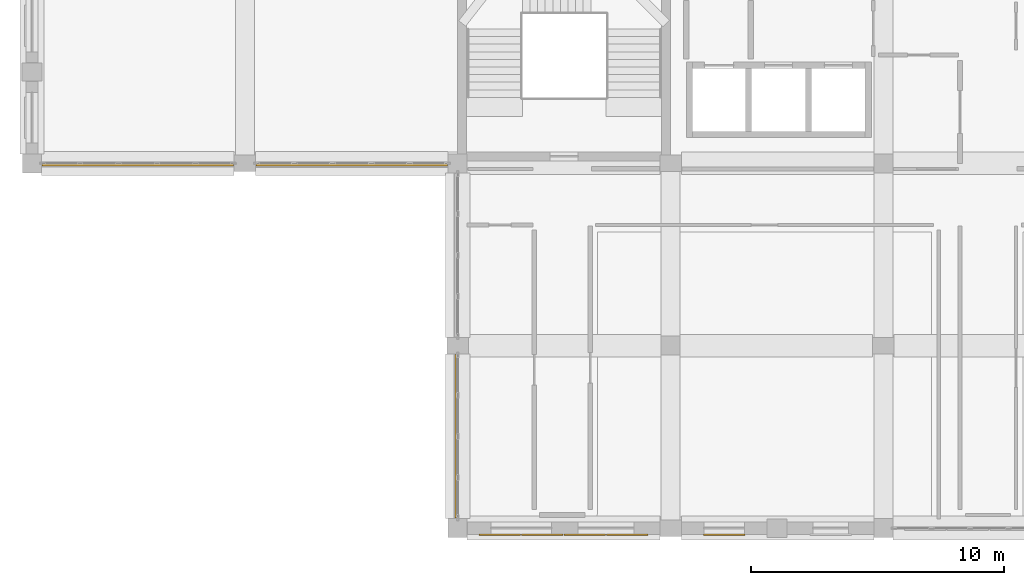
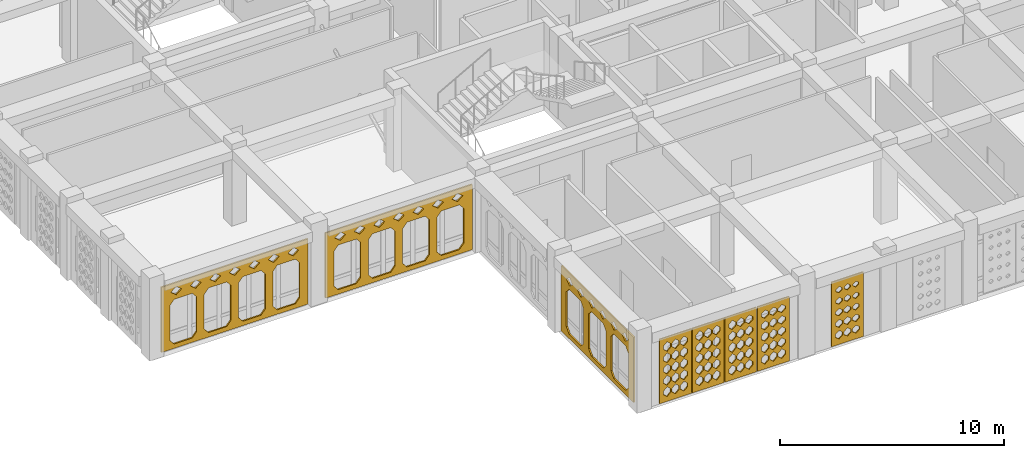
# One storey, part 68 of 100: 8 coverings.
"""IFC4 building model written with IfcOpenShell, lengths in metres."""

from ifc_helpers import new_model, si_unit, derived_unit, direction, frame, origin, place, context, subcontext, project, spatial, polyline, outline, extrude, material, layer, layer_set, type_object, element, save


model = new_model("IFC4")

# Units and contexts
model_context = context("Model", 3, precision=1e-05, world=origin(), true_north=direction((0.0, 1.0)))
body_context = subcontext(model_context, "Body", "Model", "MODEL_VIEW")
ifc_project = project(units=[si_unit("LENGTHUNIT", "METRE"), si_unit("AREAUNIT", "SQUARE_METRE"), si_unit("VOLUMEUNIT", "CUBIC_METRE"), si_unit("PLANEANGLEUNIT", "RADIAN"), si_unit("MASSUNIT", "GRAM", prefix="KILO"), derived_unit("THERMALTRANSMITTANCEUNIT", [(si_unit("POWERUNIT", "WATT"), 1), (si_unit("LENGTHUNIT", "METRE"), -2), (si_unit("THERMODYNAMICTEMPERATUREUNIT", "KELVIN"), -1)])], contexts=[model_context])

# Site, building, storey
site_placement = place(None, origin())
site = spatial("IfcSite", under=ifc_project, at=site_placement, CompositionType="ELEMENT")
building_placement = place(site_placement, origin())
building = spatial("IfcBuilding", under=site, at=building_placement, Name="Veybourne Emporium", CompositionType="ELEMENT")
storey_placement = place(building_placement, frame((0.0, 0.0, 14.39990234375)))
storey = spatial("IfcBuildingStorey", under=building, at=storey_placement, Name="L03", CompositionType="ELEMENT", Elevation=14.39990234375)

# Coverings
ifc_material_1 = material(Name="Patinated Dark Bronze Fretwork", Category="bronze")
ifc_layer_1 = layer(ifc_material_1, 0.074951171875)
ifc_layer_set_1 = layer_set([ifc_layer_1], Name="Patinated Dark Bronze Fretwork")
covering_type_1 = type_object("IfcCoveringType", Name="Fretwork_FRT-02", PredefinedType="CLADDING", material=ifc_layer_set_1)
covering_1_placement = place(storey_placement, frame((4.175048828125, 14.291015625, 1.815185546875), z_axis=(0.0, 1.0, 0.0), x_axis=(-1.0, 0.0, 0.0)))
element("IfcCovering", 1, at=covering_1_placement, inside=storey, type_object=covering_type_1, Name="Corner entrance dark bronze lace fretwork portal L03-001", PredefinedType="CLADDING", context=body_context, shape_type="SweptSolid", body=[
    extrude(outline(polyline([(-3.780029296875, -1.77490234375), (3.780029296875, -1.77490234375), (3.780029296875, 1.77490234375), (-3.780029296875, 1.77490234375), (-3.780029296875, -1.77490234375)]), holes=[polyline([(-3.12451171875, 0.89501953125), (-2.185546875, 0.89501953125), (-1.964599609375, 0.627685546875), (-1.964599609375, -1.267578125), (-2.185546875, -1.534912109375), (-3.12451171875, -1.534912109375), (-3.34521484375, -1.267578125), (-3.34521484375, 0.627685546875), (-3.12451171875, 0.89501953125)]), polyline([(-1.3544921875, 0.89501953125), (-0.41552734375, 0.89501953125), (-0.194580078125, 0.627685546875), (-0.194580078125, -1.267578125), (-0.41552734375, -1.534912109375), (-1.3544921875, -1.534912109375), (-1.5751953125, -1.267578125), (-1.5751953125, 0.627685546875), (-1.3544921875, 0.89501953125)]), polyline([(0.41552734375, 0.89501953125), (1.3544921875, 0.89501953125), (1.5751953125, 0.627685546875), (1.5751953125, -1.267578125), (1.3544921875, -1.534912109375), (0.41552734375, -1.534912109375), (0.194580078125, -1.267578125), (0.194580078125, 0.627685546875), (0.41552734375, 0.89501953125)]), polyline([(2.185546875, 0.89501953125), (3.12451171875, 0.89501953125), (3.34521484375, 0.627685546875), (3.34521484375, -1.267578125), (3.12451171875, -1.534912109375), (2.185546875, -1.534912109375), (1.964599609375, -1.267578125), (1.964599609375, 0.627685546875), (2.185546875, 0.89501953125)]), polyline([(-3.01708984375, 1.56298828125), (-2.737060546875, 1.3349609375), (-3.01708984375, 1.10693359375), (-3.297119140625, 1.3349609375), (-3.01708984375, 1.56298828125)]), polyline([(-2.011474609375, 1.56298828125), (-1.7314453125, 1.3349609375), (-2.011474609375, 1.10693359375), (-2.29150390625, 1.3349609375), (-2.011474609375, 1.56298828125)]), polyline([(-1.005615234375, 1.56298828125), (-0.7255859375, 1.3349609375), (-1.005615234375, 1.10693359375), (-1.28564453125, 1.3349609375), (-1.005615234375, 1.56298828125)]), polyline([(0.0, 1.56298828125), (0.280029296875, 1.3349609375), (0.0, 1.10693359375), (-0.280029296875, 1.3349609375), (0.0, 1.56298828125)]), polyline([(1.005615234375, 1.56298828125), (1.28564453125, 1.3349609375), (1.005615234375, 1.10693359375), (0.7255859375, 1.3349609375), (1.005615234375, 1.56298828125)]), polyline([(2.011474609375, 1.56298828125), (2.29150390625, 1.3349609375), (2.011474609375, 1.10693359375), (1.7314453125, 1.3349609375), (2.011474609375, 1.56298828125)]), polyline([(3.01708984375, 1.56298828125), (3.297119140625, 1.3349609375), (3.01708984375, 1.10693359375), (2.737060546875, 1.3349609375), (3.01708984375, 1.56298828125)])]), origin(), (0.0, 0.0, 1.0), 0.074951171875),
])
covering_2_placement = place(storey_placement, frame((12.625, 14.2880859375, 1.815185546875), z_axis=(0.0, 1.0, 0.0), x_axis=(-1.0, 0.0, 0.0)))
element("IfcCovering", 2, at=covering_2_placement, inside=storey, type_object=covering_type_1, Name="Corner entrance dark bronze lace fretwork portal L03-008", PredefinedType="CLADDING", context=body_context, shape_type="SweptSolid", body=[
    extrude(outline(polyline([(-3.780029296875, -1.77490234375), (3.780029296875, -1.77490234375), (3.780029296875, 1.77490234375), (-3.780029296875, 1.77490234375), (-3.780029296875, -1.77490234375)]), holes=[polyline([(-3.12451171875, 0.89501953125), (-2.185546875, 0.89501953125), (-1.964599609375, 0.627685546875), (-1.964599609375, -1.267578125), (-2.185546875, -1.534912109375), (-3.12451171875, -1.534912109375), (-3.34521484375, -1.267578125), (-3.34521484375, 0.627685546875), (-3.12451171875, 0.89501953125)]), polyline([(-1.3544921875, 0.89501953125), (-0.41552734375, 0.89501953125), (-0.194580078125, 0.627685546875), (-0.194580078125, -1.267578125), (-0.41552734375, -1.534912109375), (-1.3544921875, -1.534912109375), (-1.5751953125, -1.267578125), (-1.5751953125, 0.627685546875), (-1.3544921875, 0.89501953125)]), polyline([(0.41552734375, 0.89501953125), (1.3544921875, 0.89501953125), (1.5751953125, 0.627685546875), (1.5751953125, -1.267578125), (1.3544921875, -1.534912109375), (0.41552734375, -1.534912109375), (0.194580078125, -1.267578125), (0.194580078125, 0.627685546875), (0.41552734375, 0.89501953125)]), polyline([(2.185546875, 0.89501953125), (3.12451171875, 0.89501953125), (3.34521484375, 0.627685546875), (3.34521484375, -1.267578125), (3.12451171875, -1.534912109375), (2.185546875, -1.534912109375), (1.964599609375, -1.267578125), (1.964599609375, 0.627685546875), (2.185546875, 0.89501953125)]), polyline([(-3.01708984375, 1.56298828125), (-2.737060546875, 1.3349609375), (-3.01708984375, 1.10693359375), (-3.297119140625, 1.3349609375), (-3.01708984375, 1.56298828125)]), polyline([(-2.011474609375, 1.56298828125), (-1.7314453125, 1.3349609375), (-2.011474609375, 1.10693359375), (-2.29150390625, 1.3349609375), (-2.011474609375, 1.56298828125)]), polyline([(-1.005615234375, 1.56298828125), (-0.7255859375, 1.3349609375), (-1.005615234375, 1.10693359375), (-1.28564453125, 1.3349609375), (-1.005615234375, 1.56298828125)]), polyline([(0.0, 1.56298828125), (0.280029296875, 1.3349609375), (0.0, 1.10693359375), (-0.280029296875, 1.3349609375), (0.0, 1.56298828125)]), polyline([(1.005615234375, 1.56298828125), (1.28564453125, 1.3349609375), (1.005615234375, 1.10693359375), (0.7255859375, 1.3349609375), (1.005615234375, 1.56298828125)]), polyline([(2.011474609375, 1.56298828125), (2.29150390625, 1.3349609375), (2.011474609375, 1.10693359375), (1.7314453125, 1.3349609375), (2.011474609375, 1.56298828125)]), polyline([(3.01708984375, 1.56298828125), (3.297119140625, 1.3349609375), (3.01708984375, 1.10693359375), (2.737060546875, 1.3349609375), (3.01708984375, 1.56298828125)])]), origin(), (0.0, 0.0, 1.0), 0.074951171875),
])
covering_3_placement = place(storey_placement, frame((16.689453125, 3.625, 1.815185546875), z_axis=(1.0, 0.0, 0.0), x_axis=(0.0, 1.0, 0.0)))
element("IfcCovering", 3, at=covering_3_placement, inside=storey, type_object=covering_type_1, Name="Corner entrance dark bronze lace fretwork portal L03-015", PredefinedType="CLADDING", context=body_context, shape_type="SweptSolid", body=[
    extrude(outline(polyline([(-3.22998046875, -1.77490234375), (3.22998046875, -1.77490234375), (3.22998046875, 1.77490234375), (-3.22998046875, 1.77490234375), (-3.22998046875, -1.77490234375)]), holes=[polyline([(-2.52197265625, 0.89501953125), (-1.464599609375, 0.89501953125), (-1.2158203125, 0.627685546875), (-1.2158203125, -1.267578125), (-1.464599609375, -1.534912109375), (-2.52197265625, -1.534912109375), (-2.770751953125, -1.267578125), (-2.770751953125, 0.627685546875), (-2.52197265625, 0.89501953125)]), polyline([(-0.528564453125, 0.89501953125), (0.528564453125, 0.89501953125), (0.77734375, 0.627685546875), (0.77734375, -1.267578125), (0.528564453125, -1.534912109375), (-0.528564453125, -1.534912109375), (-0.77734375, -1.267578125), (-0.77734375, 0.627685546875), (-0.528564453125, 0.89501953125)]), polyline([(1.464599609375, 0.89501953125), (2.52197265625, 0.89501953125), (2.770751953125, 0.627685546875), (2.770751953125, -1.267578125), (2.52197265625, -1.534912109375), (1.464599609375, -1.534912109375), (1.2158203125, -1.267578125), (1.2158203125, 0.627685546875), (1.464599609375, 0.89501953125)]), polyline([(-2.47509765625, 1.56298828125), (-2.195068359375, 1.3349609375), (-2.47509765625, 1.10693359375), (-2.7548828125, 1.3349609375), (-2.47509765625, 1.56298828125)]), polyline([(-1.485107421875, 1.56298828125), (-1.205078125, 1.3349609375), (-1.485107421875, 1.10693359375), (-1.764892578125, 1.3349609375), (-1.485107421875, 1.56298828125)]), polyline([(-0.4951171875, 1.56298828125), (-0.215087890625, 1.3349609375), (-0.4951171875, 1.10693359375), (-0.77490234375, 1.3349609375), (-0.4951171875, 1.56298828125)]), polyline([(0.4951171875, 1.56298828125), (0.77490234375, 1.3349609375), (0.4951171875, 1.10693359375), (0.215087890625, 1.3349609375), (0.4951171875, 1.56298828125)]), polyline([(1.485107421875, 1.56298828125), (1.764892578125, 1.3349609375), (1.485107421875, 1.10693359375), (1.205078125, 1.3349609375), (1.485107421875, 1.56298828125)]), polyline([(2.47509765625, 1.56298828125), (2.7548828125, 1.3349609375), (2.47509765625, 1.10693359375), (2.195068359375, 1.3349609375), (2.47509765625, 1.56298828125)])]), origin(), (0.0, 0.0, 1.0), 0.074951171875),
])
ifc_material_2 = material(Name="Warm-White Perforated Aluminium Screen Alloy", Category="aluminium")
ifc_layer_2 = layer(ifc_material_2, 0.06005859375)
ifc_layer_set_2 = layer_set([ifc_layer_2], Name="Warm-White Perforated Aluminium Screen Alloy")
covering_type_2 = type_object("IfcCoveringType", Name="WaveScreen_SCR-01", PredefinedType="CLADDING", material=ifc_layer_set_2)
covering_4_placement = place(storey_placement, frame((20.135009765625, -0.298095703125, 1.815185546875), z_axis=(0.0, 1.0, 0.0), x_axis=(-1.0, 0.0, 0.0)))
element("IfcCovering", 4, at=covering_4_placement, inside=storey, type_object=covering_type_2, Name="L03 wave-perforated aluminium screen SCR-01 (14.3)", PredefinedType="CLADDING", context=body_context, shape_type="SweptSolid", body=[
    extrude(outline(polyline([(-0.81982421875, -1.7548828125), (0.81982421875, -1.7548828125), (0.81982421875, 1.7548828125), (-0.81982421875, 1.7548828125), (-0.81982421875, -1.7548828125)]), holes=[polyline([(-0.433349609375, -0.964111328125), (-0.2470703125, -1.133056640625), (-0.2470703125, -1.322998046875), (-0.433349609375, -1.491943359375), (-0.61962890625, -1.322998046875), (-0.61962890625, -1.133056640625), (-0.433349609375, -0.964111328125)]), polyline([(-0.433349609375, -0.35009765625), (-0.2470703125, -0.51904296875), (-0.2470703125, -0.708984375), (-0.433349609375, -0.8779296875), (-0.61962890625, -0.708984375), (-0.61962890625, -0.51904296875), (-0.433349609375, -0.35009765625)]), polyline([(-0.433349609375, 0.263916015625), (-0.2470703125, 0.094970703125), (-0.2470703125, -0.094970703125), (-0.433349609375, -0.263916015625), (-0.61962890625, -0.094970703125), (-0.61962890625, 0.094970703125), (-0.433349609375, 0.263916015625)]), polyline([(-0.433349609375, 0.8779296875), (-0.2470703125, 0.708984375), (-0.2470703125, 0.51904296875), (-0.433349609375, 0.35009765625), (-0.61962890625, 0.51904296875), (-0.61962890625, 0.708984375), (-0.433349609375, 0.8779296875)]), polyline([(-0.433349609375, 1.484375), (-0.2470703125, 1.3203125), (-0.2470703125, 1.1357421875), (-0.433349609375, 0.9716796875), (-0.61962890625, 1.1357421875), (-0.61962890625, 1.3203125), (-0.433349609375, 1.484375)]), polyline([(0.0, -0.964111328125), (0.186279296875, -1.133056640625), (0.186279296875, -1.322998046875), (0.0, -1.491943359375), (-0.186279296875, -1.322998046875), (-0.186279296875, -1.133056640625), (0.0, -0.964111328125)]), polyline([(0.0, -0.35009765625), (0.186279296875, -0.51904296875), (0.186279296875, -0.708984375), (0.0, -0.8779296875), (-0.186279296875, -0.708984375), (-0.186279296875, -0.51904296875), (0.0, -0.35009765625)]), polyline([(0.0, 0.263916015625), (0.186279296875, 0.094970703125), (0.186279296875, -0.094970703125), (0.0, -0.263916015625), (-0.186279296875, -0.094970703125), (-0.186279296875, 0.094970703125), (0.0, 0.263916015625)]), polyline([(0.0, 0.8779296875), (0.186279296875, 0.708984375), (0.186279296875, 0.51904296875), (0.0, 0.35009765625), (-0.186279296875, 0.51904296875), (-0.186279296875, 0.708984375), (0.0, 0.8779296875)]), polyline([(0.0, 1.48828125), (0.186279296875, 1.32177734375), (0.186279296875, 1.13427734375), (0.0, 0.9677734375), (-0.186279296875, 1.13427734375), (-0.186279296875, 1.32177734375), (0.0, 1.48828125)]), polyline([(0.433349609375, -0.964111328125), (0.61962890625, -1.133056640625), (0.61962890625, -1.322998046875), (0.433349609375, -1.491943359375), (0.2470703125, -1.322998046875), (0.2470703125, -1.133056640625), (0.433349609375, -0.964111328125)]), polyline([(0.433349609375, -0.35009765625), (0.61962890625, -0.51904296875), (0.61962890625, -0.708984375), (0.433349609375, -0.8779296875), (0.2470703125, -0.708984375), (0.2470703125, -0.51904296875), (0.433349609375, -0.35009765625)]), polyline([(0.433349609375, 0.263916015625), (0.61962890625, 0.094970703125), (0.61962890625, -0.094970703125), (0.433349609375, -0.263916015625), (0.2470703125, -0.094970703125), (0.2470703125, 0.094970703125), (0.433349609375, 0.263916015625)]), polyline([(0.433349609375, 0.8779296875), (0.61962890625, 0.708984375), (0.61962890625, 0.51904296875), (0.433349609375, 0.35009765625), (0.2470703125, 0.51904296875), (0.2470703125, 0.708984375), (0.433349609375, 0.8779296875)]), polyline([(0.433349609375, 1.49169921875), (0.61962890625, 1.322998046875), (0.61962890625, 1.133056640625), (0.433349609375, 0.964111328125), (0.2470703125, 1.133056640625), (0.2470703125, 1.322998046875), (0.433349609375, 1.49169921875)])]), origin(), (0.0, 0.0, 1.0), 0.06005859375),
])
ifc_layer_3 = layer(ifc_material_2, 0.06005859375)
ifc_layer_set_3 = layer_set([ifc_layer_3], Name="Warm-White Perforated Aluminium Screen Alloy")
covering_type_3 = type_object("IfcCoveringType", Name="WaveScreen_SCR-02", PredefinedType="CLADDING", material=ifc_layer_set_3)
covering_5_placement = place(storey_placement, frame((18.455078125, -0.298095703125, 1.815185546875), z_axis=(0.0, 1.0, 0.0), x_axis=(-1.0, 0.0, 0.0)))
element("IfcCovering", 5, at=covering_5_placement, inside=storey, type_object=covering_type_3, Name="L03 wave-perforated aluminium screen SCR-02 (14.4)", PredefinedType="CLADDING", context=body_context, shape_type="SweptSolid", body=[
    extrude(outline(polyline([(-0.81982421875, -1.7548828125), (0.81982421875, -1.7548828125), (0.81982421875, 1.7548828125), (-0.81982421875, 1.7548828125), (-0.81982421875, -1.7548828125)]), holes=[polyline([(-0.433349609375, -0.964111328125), (-0.2470703125, -1.133056640625), (-0.2470703125, -1.322998046875), (-0.433349609375, -1.491943359375), (-0.61962890625, -1.322998046875), (-0.61962890625, -1.133056640625), (-0.433349609375, -0.964111328125)]), polyline([(-0.433349609375, -0.35009765625), (-0.2470703125, -0.51904296875), (-0.2470703125, -0.708984375), (-0.433349609375, -0.8779296875), (-0.61962890625, -0.708984375), (-0.61962890625, -0.51904296875), (-0.433349609375, -0.35009765625)]), polyline([(-0.433349609375, 0.263916015625), (-0.2470703125, 0.094970703125), (-0.2470703125, -0.094970703125), (-0.433349609375, -0.263916015625), (-0.61962890625, -0.094970703125), (-0.61962890625, 0.094970703125), (-0.433349609375, 0.263916015625)]), polyline([(-0.433349609375, 0.8779296875), (-0.2470703125, 0.708984375), (-0.2470703125, 0.51904296875), (-0.433349609375, 0.35009765625), (-0.61962890625, 0.51904296875), (-0.61962890625, 0.708984375), (-0.433349609375, 0.8779296875)]), polyline([(-0.433349609375, 1.491943359375), (-0.2470703125, 1.322998046875), (-0.2470703125, 1.133056640625), (-0.433349609375, 0.964111328125), (-0.61962890625, 1.133056640625), (-0.61962890625, 1.322998046875), (-0.433349609375, 1.491943359375)]), polyline([(0.0, -0.964111328125), (0.186279296875, -1.133056640625), (0.186279296875, -1.322998046875), (0.0, -1.491943359375), (-0.186279296875, -1.322998046875), (-0.186279296875, -1.133056640625), (0.0, -0.964111328125)]), polyline([(0.0, -0.35009765625), (0.186279296875, -0.51904296875), (0.186279296875, -0.708984375), (0.0, -0.8779296875), (-0.186279296875, -0.708984375), (-0.186279296875, -0.51904296875), (0.0, -0.35009765625)]), polyline([(0.0, 0.263916015625), (0.186279296875, 0.094970703125), (0.186279296875, -0.094970703125), (0.0, -0.263916015625), (-0.186279296875, -0.094970703125), (-0.186279296875, 0.094970703125), (0.0, 0.263916015625)]), polyline([(0.0, 0.8779296875), (0.186279296875, 0.708984375), (0.186279296875, 0.51904296875), (0.0, 0.35009765625), (-0.186279296875, 0.51904296875), (-0.186279296875, 0.708984375), (0.0, 0.8779296875)]), polyline([(0.0, 1.491943359375), (0.186279296875, 1.322998046875), (0.186279296875, 1.133056640625), (0.0, 0.964111328125), (-0.186279296875, 1.133056640625), (-0.186279296875, 1.322998046875), (0.0, 1.491943359375)]), polyline([(0.433349609375, -0.964111328125), (0.61962890625, -1.133056640625), (0.61962890625, -1.322998046875), (0.433349609375, -1.491943359375), (0.2470703125, -1.322998046875), (0.2470703125, -1.133056640625), (0.433349609375, -0.964111328125)]), polyline([(0.433349609375, -0.35009765625), (0.61962890625, -0.51904296875), (0.61962890625, -0.708984375), (0.433349609375, -0.8779296875), (0.2470703125, -0.708984375), (0.2470703125, -0.51904296875), (0.433349609375, -0.35009765625)]), polyline([(0.433349609375, 0.263916015625), (0.61962890625, 0.094970703125), (0.61962890625, -0.094970703125), (0.433349609375, -0.263916015625), (0.2470703125, -0.094970703125), (0.2470703125, 0.094970703125), (0.433349609375, 0.263916015625)]), polyline([(0.433349609375, 0.8779296875), (0.61962890625, 0.708984375), (0.61962890625, 0.51904296875), (0.433349609375, 0.35009765625), (0.2470703125, 0.51904296875), (0.2470703125, 0.708984375), (0.433349609375, 0.8779296875)]), polyline([(0.433349609375, 1.491943359375), (0.61962890625, 1.322998046875), (0.61962890625, 1.133056640625), (0.433349609375, 0.964111328125), (0.2470703125, 1.133056640625), (0.2470703125, 1.322998046875), (0.433349609375, 1.491943359375)])]), origin(), (0.0, 0.0, 1.0), 0.06005859375),
])
ifc_layer_4 = layer(ifc_material_2, 0.06005859375)
ifc_layer_set_4 = layer_set([ifc_layer_4], Name="Warm-White Perforated Aluminium Screen Alloy")
covering_type_4 = type_object("IfcCoveringType", Name="WaveScreen_SCR-03", PredefinedType="CLADDING", material=ifc_layer_set_4)
covering_6_placement = place(storey_placement, frame((23.4951171875, -0.298095703125, 1.815185546875), z_axis=(0.0, 1.0, 0.0), x_axis=(-1.0, 0.0, 0.0)))
element("IfcCovering", 6, at=covering_6_placement, inside=storey, type_object=covering_type_4, Name="L03 wave-perforated aluminium screen SCR-03 (14.1)", PredefinedType="CLADDING", context=body_context, shape_type="SweptSolid", body=[
    extrude(outline(polyline([(-0.81982421875, -1.7548828125), (0.81982421875, -1.7548828125), (0.81982421875, 1.7548828125), (-0.81982421875, 1.7548828125), (-0.81982421875, -1.7548828125)]), holes=[polyline([(-0.433349609375, -0.967529296875), (-0.2470703125, -1.13427734375), (-0.2470703125, -1.32177734375), (-0.433349609375, -1.488525390625), (-0.61962890625, -1.32177734375), (-0.61962890625, -1.13427734375), (-0.433349609375, -0.967529296875)]), polyline([(-0.433349609375, -0.362548828125), (-0.2470703125, -0.5234375), (-0.2470703125, -0.70458984375), (-0.433349609375, -0.865478515625), (-0.61962890625, -0.70458984375), (-0.61962890625, -0.5234375), (-0.433349609375, -0.362548828125)]), polyline([(-0.433349609375, 0.24072265625), (-0.2470703125, 0.086669921875), (-0.2470703125, -0.086669921875), (-0.433349609375, -0.24072265625), (-0.61962890625, -0.086669921875), (-0.61962890625, 0.086669921875), (-0.433349609375, 0.24072265625)]), polyline([(-0.433349609375, 0.8427734375), (-0.2470703125, 0.6962890625), (-0.2470703125, 0.53173828125), (-0.433349609375, 0.38525390625), (-0.61962890625, 0.53173828125), (-0.61962890625, 0.6962890625), (-0.433349609375, 0.8427734375)]), polyline([(-0.433349609375, 1.443359375), (-0.2470703125, 1.3056640625), (-0.2470703125, 1.150390625), (-0.433349609375, 1.0126953125), (-0.61962890625, 1.150390625), (-0.61962890625, 1.3056640625), (-0.433349609375, 1.443359375)]), polyline([(0.0, -0.964111328125), (0.186279296875, -1.133056640625), (0.186279296875, -1.322998046875), (0.0, -1.491943359375), (-0.186279296875, -1.322998046875), (-0.186279296875, -1.133056640625), (0.0, -0.964111328125)]), polyline([(0.0, -0.358154296875), (0.186279296875, -0.52197265625), (0.186279296875, -0.7060546875), (0.0, -0.869873046875), (-0.186279296875, -0.7060546875), (-0.186279296875, -0.52197265625), (0.0, -0.358154296875)]), polyline([(0.0, 0.245849609375), (0.186279296875, 0.08837890625), (0.186279296875, -0.08837890625), (0.0, -0.245849609375), (-0.186279296875, -0.08837890625), (-0.186279296875, 0.08837890625), (0.0, 0.245849609375)]), polyline([(0.0, 0.848388671875), (0.186279296875, 0.698486328125), (0.186279296875, 0.529541015625), (0.0, 0.379638671875), (-0.186279296875, 0.529541015625), (-0.186279296875, 0.698486328125), (0.0, 0.848388671875)]), polyline([(0.0, 1.44970703125), (0.186279296875, 1.307861328125), (0.186279296875, 1.148193359375), (0.0, 1.00634765625), (-0.186279296875, 1.148193359375), (-0.186279296875, 1.307861328125), (0.0, 1.44970703125)]), polyline([(0.433349609375, -0.964111328125), (0.61962890625, -1.133056640625), (0.61962890625, -1.322998046875), (0.433349609375, -1.491943359375), (0.2470703125, -1.322998046875), (0.2470703125, -1.133056640625), (0.433349609375, -0.964111328125)]), polyline([(0.433349609375, -0.354248046875), (0.61962890625, -0.5205078125), (0.61962890625, -0.70751953125), (0.433349609375, -0.873779296875), (0.2470703125, -0.70751953125), (0.2470703125, -0.5205078125), (0.433349609375, -0.354248046875)]), polyline([(0.433349609375, 0.25048828125), (0.61962890625, 0.090087890625), (0.61962890625, -0.090087890625), (0.433349609375, -0.25048828125), (0.2470703125, -0.090087890625), (0.2470703125, 0.090087890625), (0.433349609375, 0.25048828125)]), polyline([(0.433349609375, 0.853759765625), (0.61962890625, 0.7001953125), (0.61962890625, 0.527587890625), (0.433349609375, 0.374267578125), (0.2470703125, 0.527587890625), (0.2470703125, 0.7001953125), (0.433349609375, 0.853759765625)]), polyline([(0.433349609375, 1.45556640625), (0.61962890625, 1.309814453125), (0.61962890625, 1.14599609375), (0.433349609375, 1.00048828125), (0.2470703125, 1.14599609375), (0.2470703125, 1.309814453125), (0.433349609375, 1.45556640625)])]), origin(), (0.0, 0.0, 1.0), 0.06005859375),
])
ifc_layer_5 = layer(ifc_material_2, 0.06005859375)
ifc_layer_set_5 = layer_set([ifc_layer_5], Name="Warm-White Perforated Aluminium Screen Alloy")
covering_type_5 = type_object("IfcCoveringType", Name="WaveScreen_SCR-04", PredefinedType="CLADDING", material=ifc_layer_set_5)
covering_7_placement = place(storey_placement, frame((21.81494140625, -0.298095703125, 1.815185546875), z_axis=(0.0, 1.0, 0.0), x_axis=(-1.0, 0.0, 0.0)))
element("IfcCovering", 7, at=covering_7_placement, inside=storey, type_object=covering_type_5, Name="L03 wave-perforated aluminium screen SCR-04 (14.2)", PredefinedType="CLADDING", context=body_context, shape_type="SweptSolid", body=[
    extrude(outline(polyline([(-0.81982421875, -1.7548828125), (0.81982421875, -1.7548828125), (0.81982421875, 1.7548828125), (-0.81982421875, 1.7548828125), (-0.81982421875, -1.7548828125)]), holes=[polyline([(-0.433349609375, -0.964111328125), (-0.2470703125, -1.133056640625), (-0.2470703125, -1.322998046875), (-0.433349609375, -1.491943359375), (-0.61962890625, -1.322998046875), (-0.61962890625, -1.133056640625), (-0.433349609375, -0.964111328125)]), polyline([(-0.433349609375, -0.35009765625), (-0.2470703125, -0.51904296875), (-0.2470703125, -0.708984375), (-0.433349609375, -0.8779296875), (-0.61962890625, -0.708984375), (-0.61962890625, -0.51904296875), (-0.433349609375, -0.35009765625)]), polyline([(-0.433349609375, 0.258544921875), (-0.2470703125, 0.093017578125), (-0.2470703125, -0.093017578125), (-0.433349609375, -0.258544921875), (-0.61962890625, -0.093017578125), (-0.61962890625, 0.093017578125), (-0.433349609375, 0.258544921875)]), polyline([(-0.433349609375, 0.863037109375), (-0.2470703125, 0.70361328125), (-0.2470703125, 0.5244140625), (-0.433349609375, 0.364990234375), (-0.61962890625, 0.5244140625), (-0.61962890625, 0.70361328125), (-0.433349609375, 0.863037109375)]), polyline([(-0.433349609375, 1.466064453125), (-0.2470703125, 1.313720703125), (-0.2470703125, 1.142333984375), (-0.433349609375, 0.989990234375), (-0.61962890625, 1.142333984375), (-0.61962890625, 1.313720703125), (-0.433349609375, 1.466064453125)]), polyline([(0.0, -0.964111328125), (0.186279296875, -1.133056640625), (0.186279296875, -1.322998046875), (0.0, -1.491943359375), (-0.186279296875, -1.322998046875), (-0.186279296875, -1.133056640625), (0.0, -0.964111328125)]), polyline([(0.0, -0.35009765625), (0.186279296875, -0.51904296875), (0.186279296875, -0.708984375), (0.0, -0.8779296875), (-0.186279296875, -0.708984375), (-0.186279296875, -0.51904296875), (0.0, -0.35009765625)]), polyline([(0.0, 0.26220703125), (0.186279296875, 0.094482421875), (0.186279296875, -0.094482421875), (0.0, -0.26220703125), (-0.186279296875, -0.094482421875), (-0.186279296875, 0.094482421875), (0.0, 0.26220703125)]), polyline([(0.0, 0.86767578125), (0.186279296875, 0.705322265625), (0.186279296875, 0.522705078125), (0.0, 0.3603515625), (-0.186279296875, 0.522705078125), (-0.186279296875, 0.705322265625), (0.0, 0.86767578125)]), polyline([(0.0, 1.47119140625), (0.186279296875, 1.315673828125), (0.186279296875, 1.140380859375), (0.0, 0.98486328125), (-0.186279296875, 1.140380859375), (-0.186279296875, 1.315673828125), (0.0, 1.47119140625)]), polyline([(0.433349609375, -0.964111328125), (0.61962890625, -1.133056640625), (0.61962890625, -1.322998046875), (0.433349609375, -1.491943359375), (0.2470703125, -1.322998046875), (0.2470703125, -1.133056640625), (0.433349609375, -0.964111328125)]), polyline([(0.433349609375, -0.35009765625), (0.61962890625, -0.51904296875), (0.61962890625, -0.708984375), (0.433349609375, -0.8779296875), (0.2470703125, -0.708984375), (0.2470703125, -0.51904296875), (0.433349609375, -0.35009765625)]), polyline([(0.433349609375, 0.263916015625), (0.61962890625, 0.094970703125), (0.61962890625, -0.094970703125), (0.433349609375, -0.263916015625), (0.2470703125, -0.094970703125), (0.2470703125, 0.094970703125), (0.433349609375, 0.263916015625)]), polyline([(0.433349609375, 0.87158203125), (0.61962890625, 0.706787109375), (0.61962890625, 0.521240234375), (0.433349609375, 0.356201171875), (0.2470703125, 0.521240234375), (0.2470703125, 0.706787109375), (0.433349609375, 0.87158203125)]), polyline([(0.433349609375, 1.47607421875), (0.61962890625, 1.3173828125), (0.61962890625, 1.138671875), (0.433349609375, 0.97998046875), (0.2470703125, 1.138671875), (0.2470703125, 1.3173828125), (0.433349609375, 1.47607421875)])]), origin(), (0.0, 0.0, 1.0), 0.06005859375),
])
covering_8_placement = place(storey_placement, frame((27.3125, -0.298095703125, 1.815185546875), z_axis=(0.0, 1.0, 0.0), x_axis=(-1.0, 0.0, 0.0)))
element("IfcCovering", 8, at=covering_8_placement, inside=storey, type_object=covering_type_5, Name="L03 wave-perforated aluminium screen SCR-04 (19B.1)", PredefinedType="CLADDING", context=body_context, shape_type="SweptSolid", body=[
    extrude(outline(polyline([(-0.81982421875, -1.7548828125), (0.81982421875, -1.7548828125), (0.81982421875, 1.7548828125), (-0.81982421875, 1.7548828125), (-0.81982421875, -1.7548828125)]), holes=[polyline([(-0.433349609375, -1.012451171875), (-0.2470703125, -1.150390625), (-0.2470703125, -1.3056640625), (-0.433349609375, -1.443603515625), (-0.61962890625, -1.3056640625), (-0.61962890625, -1.150390625), (-0.433349609375, -1.012451171875)]), polyline([(-0.433349609375, -0.412353515625), (-0.25830078125, -0.54150390625), (-0.25830078125, -0.6865234375), (-0.433349609375, -0.815673828125), (-0.6083984375, -0.6865234375), (-0.6083984375, -0.54150390625), (-0.433349609375, -0.412353515625)]), polyline([(-0.433349609375, 0.1875), (-0.27001953125, 0.0673828125), (-0.27001953125, -0.0673828125), (-0.433349609375, -0.1875), (-0.5966796875, -0.0673828125), (-0.5966796875, 0.0673828125), (-0.433349609375, 0.1875)]), polyline([(-0.433349609375, 0.787353515625), (-0.281494140625, 0.676513671875), (-0.281494140625, 0.551513671875), (-0.433349609375, 0.440673828125), (-0.585205078125, 0.551513671875), (-0.585205078125, 0.676513671875), (-0.433349609375, 0.787353515625)]), polyline([(-0.433349609375, 1.387939453125), (-0.29248046875, 1.28564453125), (-0.29248046875, 1.17041015625), (-0.433349609375, 1.068115234375), (-0.57421875, 1.17041015625), (-0.57421875, 1.28564453125), (-0.433349609375, 1.387939453125)]), polyline([(0.0, -1.00634765625), (0.186279296875, -1.148193359375), (0.186279296875, -1.307861328125), (0.0, -1.44970703125), (-0.186279296875, -1.307861328125), (-0.186279296875, -1.148193359375), (0.0, -1.00634765625)]), polyline([(0.0, -0.406005859375), (0.18017578125, -0.5390625), (0.18017578125, -0.68896484375), (0.0, -0.822021484375), (-0.18017578125, -0.68896484375), (-0.18017578125, -0.5390625), (0.0, -0.406005859375)]), polyline([(0.0, 0.19384765625), (0.168701171875, 0.06982421875), (0.168701171875, -0.06982421875), (0.0, -0.19384765625), (-0.168701171875, -0.06982421875), (-0.168701171875, 0.06982421875), (0.0, 0.19384765625)]), polyline([(0.0, 0.793701171875), (0.156982421875, 0.6787109375), (0.156982421875, 0.54931640625), (0.0, 0.434326171875), (-0.156982421875, 0.54931640625), (-0.156982421875, 0.6787109375), (0.0, 0.793701171875)]), polyline([(0.0, 1.39404296875), (0.145751953125, 1.287841796875), (0.145751953125, 1.168212890625), (0.0, 1.06201171875), (-0.145751953125, 1.168212890625), (-0.145751953125, 1.287841796875), (0.0, 1.39404296875)]), polyline([(0.433349609375, -1.00048828125), (0.61962890625, -1.14599609375), (0.61962890625, -1.309814453125), (0.433349609375, -1.45556640625), (0.2470703125, -1.309814453125), (0.2470703125, -1.14599609375), (0.433349609375, -1.00048828125)]), polyline([(0.433349609375, -0.39990234375), (0.61865234375, -0.536865234375), (0.61865234375, -0.691162109375), (0.433349609375, -0.828125), (0.248046875, -0.691162109375), (0.248046875, -0.536865234375), (0.433349609375, -0.39990234375)]), polyline([(0.433349609375, 0.2001953125), (0.607177734375, 0.072021484375), (0.607177734375, -0.072021484375), (0.433349609375, -0.2001953125), (0.259521484375, -0.072021484375), (0.259521484375, 0.072021484375), (0.433349609375, 0.2001953125)]), polyline([(0.433349609375, 0.800048828125), (0.595703125, 0.680908203125), (0.595703125, 0.547119140625), (0.433349609375, 0.427978515625), (0.27099609375, 0.547119140625), (0.27099609375, 0.680908203125), (0.433349609375, 0.800048828125)]), polyline([(0.433349609375, 1.400146484375), (0.584228515625, 1.2900390625), (0.584228515625, 1.166015625), (0.433349609375, 1.055908203125), (0.282470703125, 1.166015625), (0.282470703125, 1.2900390625), (0.433349609375, 1.400146484375)])]), origin(), (0.0, 0.0, 1.0), 0.06005859375),
])

save(model, "model.ifc")
